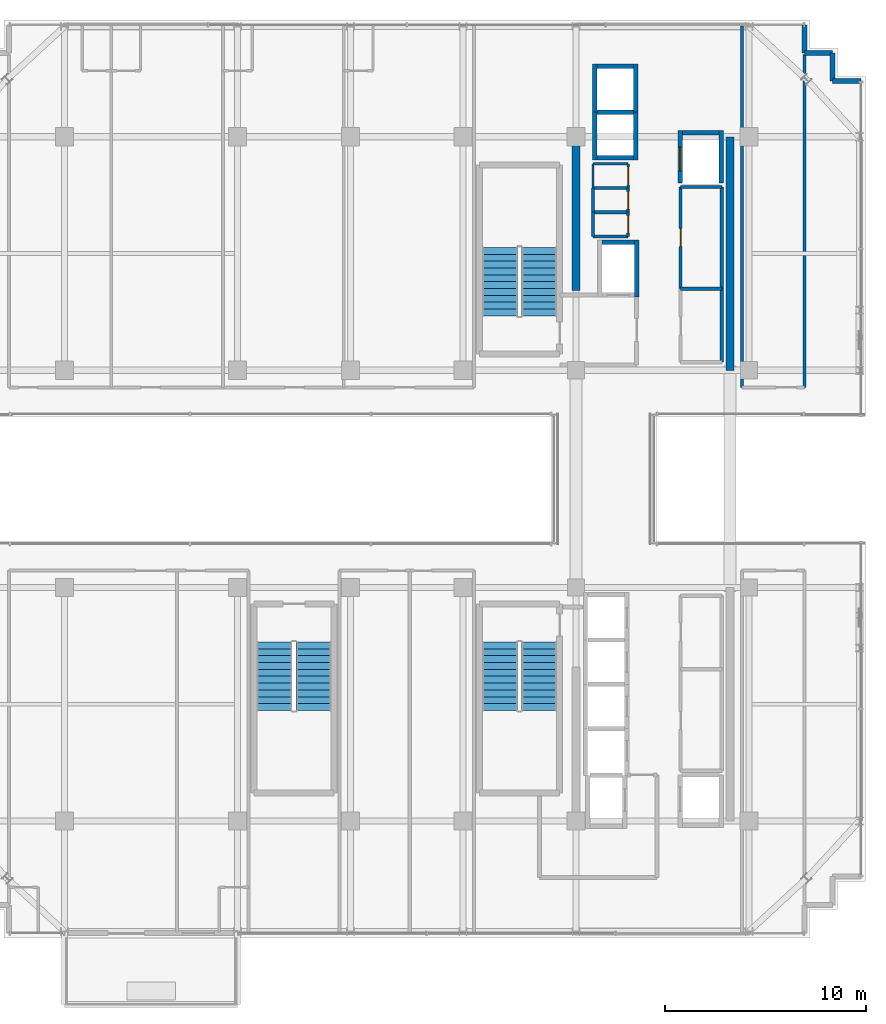
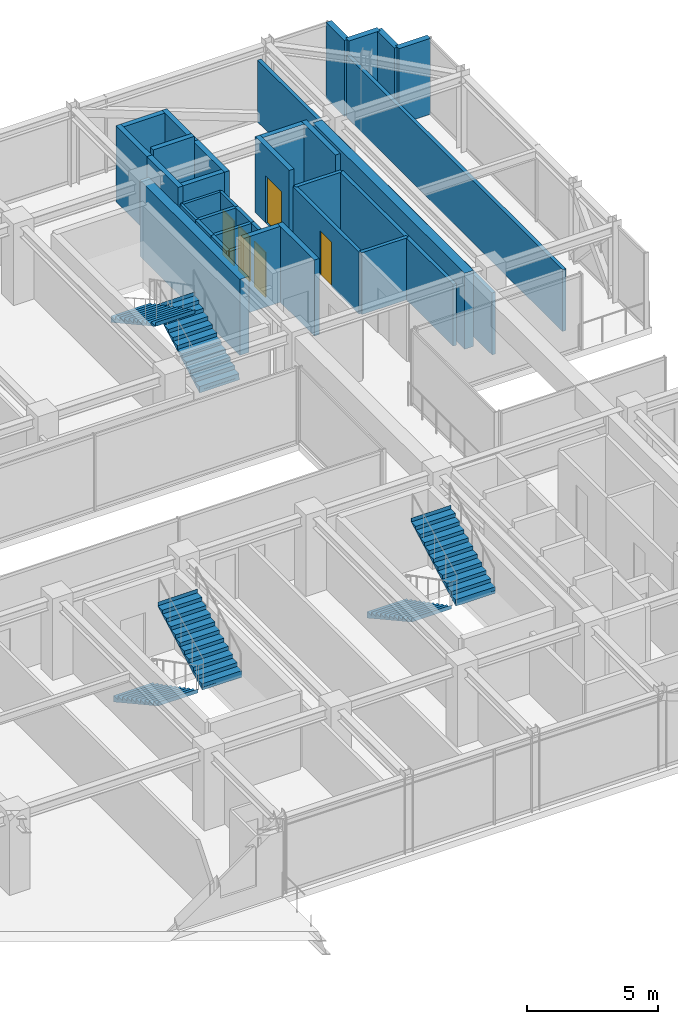
# One storey, part 33 of 37: 35 walls, 6 stair flights, 5 doors, 5 openings, 3 elements without a shape of their own.
"""IFC4 building model written with IfcOpenShell, lengths in metres."""

from ifc_helpers import new_model, si_unit, direction, frame, frame_2d, origin, place, context, subcontext, project, spatial, polyline, rectangle, outline, extrude, source, transform, mapped, material, layer, layer_set, type_object, element, fill, aggregate, save


model = new_model("IFC4")

# Units and contexts
model_context = context("Model", 3, precision=1e-05, world=origin(), true_north=direction((0.0, 1.0)))
body_context = subcontext(model_context, "Body", "Model", "MODEL_VIEW")
ifc_project = project(units=[si_unit("LENGTHUNIT", "METRE"), si_unit("AREAUNIT", "SQUARE_METRE"), si_unit("VOLUMEUNIT", "CUBIC_METRE"), si_unit("PLANEANGLEUNIT", "RADIAN"), si_unit("MASSUNIT", "GRAM", prefix="KILO")], contexts=[model_context])

# Site, building, storey
site_placement = place(None, origin())
site = spatial("IfcSite", under=ifc_project, at=site_placement, CompositionType="ELEMENT")
building_placement = place(site_placement, origin())
building = spatial("IfcBuilding", under=site, at=building_placement, Name="Nahalor Promenade Grand Hotel", CompositionType="ELEMENT")
storey_placement = place(building_placement, frame((0.0, 0.0, 292.64990234375)))
storey = spatial("IfcBuildingStorey", under=building, at=storey_placement, Name="L75", CompositionType="ELEMENT", Elevation=292.64990234375)

# Walls
ifc_material_1 = material(Name="Concrete B-50 (C40/50)", Category="concrete")
ifc_layer_1 = layer(ifc_material_1, 0.39990234375)
ifc_layer_set_1 = layer_set([ifc_layer_1], Name="Concrete B-50 (C40/50)")
wall_type_1 = type_object("IfcWallType", Name="Wall-CoreShear-400", PredefinedType="SHEAR", material=ifc_layer_set_1)
shared_shape_1 = source(origin(), body_context, "Body", "SweptSolid", [
    extrude(rectangle(XDim=7.64990234375, YDim=0.39990234375, at=frame_2d((3.824951171875, 0.0))), origin(), (0.0, 0.0, 1.0), 3.550048828125),
])
wall_1_placement = place(storey_placement, frame((8.39990234375, 9.35009765625, 0.0), z_axis=(0.0, 0.0, 1.0), x_axis=(0.0, 1.0, 0.0)))
element("IfcWall", 1, at=wall_1_placement, inside=storey, type_object=wall_type_1, Name="CWALL-L75-NW", PredefinedType="SHEAR", context=body_context, shape_type="MappedRepresentation", body=[
    mapped(shared_shape_1, transform((0.0, 0.0, 0.0), scale=1.0)),
])
shared_shape_2 = source(origin(), body_context, "Body", "SweptSolid", [
    extrude(rectangle(XDim=11.60009765625, YDim=0.39990234375, at=frame_2d((5.800048828125, 0.0))), origin(), (0.0, 0.0, 1.0), 3.550048828125),
])
wall_2_placement = place(storey_placement, frame((16.050048828125, 5.39990234375, 0.0), z_axis=(0.0, 0.0, 1.0), x_axis=(0.0, 1.0, 0.0)))
element("IfcWall", 2, at=wall_2_placement, inside=storey, type_object=wall_type_1, Name="CWALL-L75-NE", PredefinedType="SHEAR", context=body_context, shape_type="MappedRepresentation", body=[
    mapped(shared_shape_2, transform((0.0, 0.0, 0.0), scale=1.0)),
])
ifc_layer_2 = layer(ifc_material_1, 0.219970703125)
ifc_layer_set_2 = layer_set([ifc_layer_2], Name="Concrete B-50 (C40/50)")
wall_type_2 = type_object("IfcWallType", Name="Wall-LiftShaft-220", PredefinedType="SHEAR", material=ifc_layer_set_2)
shared_shape_3 = source(origin(), body_context, "Body", "SweptSolid", [
    extrude(rectangle(XDim=1.820068359375, YDim=0.219970703125, at=frame_2d((0.91015625, 0.0))), origin(), (0.0, 0.0, 1.0), 3.550048828125),
])
for number, where, z_axis, x_axis, name in (
    (3, (9.43994140625, 15.949951171875, 0.0), (0.0, 0.0, 1.0), (1.0, 0.0, 0.0), "L75 Lift OB1 Hoistway Wall S"),
    (4, (9.43994140625, 20.5, 0.0), (0.0, 0.0, 1.0), (1.0, 0.0, 0.0), "L75 Lift OB2 Hoistway Wall N"),
    (5, (13.68994140625, 17.199951171875, 0.0), (0.0, 0.0, 1.0), (1.0, 0.0, 0.0), "L75 Lift SV1 Hoistway Wall N"),
):
    element("IfcWall", number, at=place(storey_placement, frame(where, z_axis=z_axis, x_axis=x_axis)), inside=storey, type_object=wall_type_2, Name=name, PredefinedType="SHEAR", context=body_context, shape_type="MappedRepresentation", body=[
        mapped(shared_shape_3, transform((0.0, 0.0, 0.0), scale=1.0)),
    ])
shared_shape_4 = source(origin(), body_context, "Body", "SweptSolid", [
    extrude(rectangle(XDim=1.820068359375, YDim=0.219970703125, at=frame_2d((0.91015625, 0.0))), origin(), (0.0, 0.0, 1.0), 3.85009765625),
])
wall_3_placement = place(storey_placement, frame((9.43994140625, 18.22509765625, 0.0), z_axis=(0.0, 0.0, 1.0), x_axis=(1.0, 0.0, 0.0)))
element("IfcWall", 6, at=wall_3_placement, inside=storey, type_object=wall_type_2, Name="L75 Lift OB1 Hoistway Wall N", PredefinedType="SHEAR", context=body_context, shape_type="MappedRepresentation", body=[
    mapped(shared_shape_4, transform((0.0, 0.0, 0.0), scale=1.0)),
])
shared_shape_5 = source(origin(), body_context, "Body", "SweptSolid", [
    extrude(rectangle(XDim=2.385009765625, YDim=0.219970703125, at=frame_2d((1.1923828125, 0.0))), origin(), (0.0, 0.0, 1.0), 3.550048828125),
])
for number, where, z_axis, x_axis, name in (
    (7, (9.330078125, 15.840087890625, 0.0), (0.0, 0.0, 1.0), (0.0, 1.0, 0.0), "L75 Lift OB1 Hoistway Wall W"),
    (8, (11.3701171875, 15.840087890625, 0.0), (0.0, 0.0, 1.0), (0.0, 1.0, 0.0), "L75 Lift OB1 Hoistway Wall E"),
    (9, (9.330078125, 18.22509765625, 0.0), (0.0, 0.0, 1.0), (0.0, 1.0, 0.0), "L75 Lift OB2 Hoistway Wall W"),
    (10, (11.3701171875, 18.22509765625, 0.0), (0.0, 0.0, 1.0), (0.0, 1.0, 0.0), "L75 Lift OB2 Hoistway Wall E"),
):
    element("IfcWall", number, at=place(storey_placement, frame(where, z_axis=z_axis, x_axis=x_axis)), inside=storey, type_object=wall_type_2, Name=name, PredefinedType="SHEAR", context=body_context, shape_type="MappedRepresentation", body=[
        mapped(shared_shape_5, transform((0.0, 0.0, 0.0), scale=1.0)),
    ])
shared_shape_6 = source(origin(), body_context, "Body", "SweptSolid", [
    extrude(rectangle(XDim=2.820068359375, YDim=0.219970703125, at=frame_2d((1.41015625, 0.0))), origin(), (0.0, 0.0, 1.0), 3.550048828125),
])
wall_4_placement = place(storey_placement, frame((11.419921875, 9.0400390625, 0.0), z_axis=(0.0, 0.0, 1.0), x_axis=(0.0, 1.0, 0.0)))
element("IfcWall", 11, at=wall_4_placement, inside=storey, type_object=wall_type_2, Name="L75 Lift FL1 Hoistway Wall E", PredefinedType="SHEAR", context=body_context, shape_type="MappedRepresentation", body=[
    mapped(shared_shape_6, transform((0.0, 0.0, 0.0), scale=1.0)),
])
shared_shape_7 = source(origin(), body_context, "Body", "SweptSolid", [
    extrude(rectangle(XDim=1.6201171875, YDim=0.219970703125, at=frame_2d((0.81005859375, 0.0))), origin(), (0.0, 0.0, 1.0), 3.550048828125),
])
wall_5_placement = place(storey_placement, frame((9.68994140625, 11.75, 0.0), z_axis=(0.0, 0.0, 1.0), x_axis=(1.0, 0.0, 0.0)))
element("IfcWall", 12, at=wall_5_placement, inside=storey, type_object=wall_type_2, Name="L75 Lift FL1 Hoistway Wall N", PredefinedType="SHEAR", context=body_context, shape_type="MappedRepresentation", body=[
    mapped(shared_shape_7, transform((0.0, 0.0, 0.0), scale=1.0)),
])

# Wall, opening, door
shared_shape_8 = source(origin(), body_context, "Body", "SweptSolid", [
    extrude(rectangle(XDim=2.610107421875, YDim=0.219970703125, at=frame_2d((1.30517578125, 0.0))), origin(), (0.0, 0.0, 1.0), 3.550048828125),
])
wall_6_placement = place(storey_placement, frame((13.580078125, 14.699951171875, 0.0), z_axis=(0.0, 0.0, 1.0), x_axis=(0.0, 1.0, 0.0)))
wall_6 = element("IfcWall", 13, at=wall_6_placement, inside=storey, type_object=wall_type_2, Name="L75 Lift SV1 Hoistway Wall W", PredefinedType="SHEAR", context=body_context, shape_type="MappedRepresentation", body=[
    mapped(shared_shape_8, transform((0.0, 0.0, 0.0), scale=1.0)),
])
opening_1_placement = place(wall_6_placement, frame((0.60009765625, 0.0, 0.0)))
opening_1 = element("IfcOpeningElement", 14, at=opening_1_placement, cuts=wall_6, Name="Opening LD-03", PredefinedType="OPENING", context=body_context, shape_type="SweptSolid", body=[
    extrude(rectangle(XDim=1.199951171875, YDim=2.199951171875, at=frame_2d((0.60009765625, 1.10009765625))), frame((0.0, 0.119873046875, 0.0), z_axis=(0.0, -1.0, 0.0), x_axis=(1.0, 0.0, 0.0)), (0.0, 0.0, 1.0), 0.239990234375),
])
ifc_material_2 = material(Name="Steel S355JR", Category="steel")
door_type_1 = type_object("IfcDoorType", Name="Door-LiftService-1200", OperationType="DOUBLE_DOOR_SLIDING", PredefinedType="DOOR", material=ifc_material_2)
shared_shape_9 = source(origin(), body_context, "Body", "SweptSolid", [
    extrude(rectangle(XDim=1.199951171875, YDim=2.199951171875, at=frame_2d((0.60009765625, 1.10009765625))), frame((0.0, 0.02490234375, 0.0), z_axis=(0.0, -1.0, 0.0), x_axis=(1.0, 0.0, 0.0)), (0.0, 0.0, 1.0), 0.050048828125),
])
door_1_placement = place(opening_1_placement, origin())
door_1 = element("IfcDoor", 15, at=door_1_placement, inside=storey, type_object=door_type_1, Name="DR-LIFT-SV1-L75", OperationType="DOUBLE_DOOR_SLIDING", OverallHeight=2.199951171875, OverallWidth=1.199951171875, PredefinedType="DOOR", context=body_context, shape_type="MappedRepresentation", body=[
    mapped(shared_shape_9, transform((0.0, 0.0, 0.0), scale=1.0)),
])
fill(opening_1, door_1)

# Walls
wall_7_placement = place(storey_placement, frame((15.6201171875, 14.699951171875, 0.0), z_axis=(0.0, 0.0, 1.0), x_axis=(0.0, 1.0, 0.0)))
element("IfcWall", 16, at=wall_7_placement, inside=storey, type_object=wall_type_2, Name="L75 Lift SV1 Hoistway Wall E", PredefinedType="SHEAR", context=body_context, shape_type="MappedRepresentation", body=[
    mapped(shared_shape_8, transform((0.0, 0.0, 0.0), scale=1.0)),
])
ifc_material_3 = material(Name="Concrete B-40 (C32/40)", Category="concrete")
ifc_layer_3 = layer(ifc_material_3, 0.25)
ifc_layer_set_3 = layer_set([ifc_layer_3], Name="Concrete B-40 (C32/40)")
wall_type_3 = type_object("IfcWallType", Name="Wall-BronzePier-250", PredefinedType="STANDARD", material=ifc_layer_set_3)
shared_shape_10 = source(origin(), body_context, "Body", "SweptSolid", [
    extrude(rectangle(XDim=1.400146484375, YDim=0.25, at=frame_2d((0.7001953125, 0.0))), origin(), (0.0, 0.0, 1.0), 3.550048828125),
])
for number, where, z_axis, x_axis, name in (
    (17, (21.159912109375, 19.760009765625, 0.0), (0.0, 0.0, 1.0), (1.0, 0.0, 0.0), "W-L75-SR-05"),
    (18, (19.760009765625, 21.159912109375, 0.0), (0.0, 0.0, 1.0), (0.0, 1.0, 0.0), "W-L75-SR-08"),
):
    element("IfcWall", number, at=place(storey_placement, frame(where, z_axis=z_axis, x_axis=x_axis)), inside=storey, type_object=wall_type_3, Name=name, PredefinedType="STANDARD", context=body_context, shape_type="MappedRepresentation", body=[
        mapped(shared_shape_10, transform((0.0, 0.0, 0.0), scale=1.0)),
    ])
shared_shape_11 = source(origin(), body_context, "Body", "SweptSolid", [
    extrude(rectangle(XDim=1.39990234375, YDim=0.25, at=frame_2d((0.699951171875, 0.0))), origin(), (0.0, 0.0, 1.0), 3.550048828125),
])
for number, where, z_axis, x_axis, name in (
    (19, (21.159912109375, 19.760009765625, 0.0), (0.0, 0.0, 1.0), (0.0, 1.0, 0.0), "W-L75-SR-06"),
    (20, (19.760009765625, 21.159912109375, 0.0), (0.0, 0.0, 1.0), (1.0, 0.0, 0.0), "W-L75-SR-07"),
):
    element("IfcWall", number, at=place(storey_placement, frame(where, z_axis=z_axis, x_axis=x_axis)), inside=storey, type_object=wall_type_3, Name=name, PredefinedType="STANDARD", context=body_context, shape_type="MappedRepresentation", body=[
        mapped(shared_shape_11, transform((0.0, 0.0, 0.0), scale=1.0)),
    ])
ifc_material_4 = material(Name="Acoustic Mineral Gypsum", Category="gypsum")
ifc_layer_4 = layer(ifc_material_4, 0.14990234375)
ifc_layer_set_4 = layer_set([ifc_layer_4], Name="Acoustic Mineral Gypsum")
wall_type_4 = type_object("IfcWallType", Name="Wall-PartService-150", PredefinedType="PARTITIONING", material=ifc_layer_set_4)
shared_shape_12 = source(origin(), body_context, "Body", "SweptSolid", [
    extrude(rectangle(XDim=1.75, YDim=0.14990234375, at=frame_2d((0.875, 0.0))), origin(), (0.0, 0.0, 1.0), 2.89013671875),
])
for number, where, z_axis, x_axis, name in (
    (21, (9.25, 12.050048828125, 0.0), (0.0, 0.0, 1.0), (1.0, 0.0, 0.0), "W-L75-CK3A-S"),
    (22, (9.25, 13.25, 0.0), (0.0, 0.0, 1.0), (1.0, 0.0, 0.0), "W-L75-CK3A-N"),
    (23, (9.25, 14.449951171875, 0.0), (0.0, 0.0, 1.0), (1.0, 0.0, 0.0), "W-L75-CK3B-N"),
):
    element("IfcWall", number, at=place(storey_placement, frame(where, z_axis=z_axis, x_axis=x_axis)), inside=storey, type_object=wall_type_4, Name=name, PredefinedType="PARTITIONING", context=body_context, shape_type="MappedRepresentation", body=[
        mapped(shared_shape_12, transform((0.0, 0.0, 0.0), scale=1.0)),
    ])
shared_shape_13 = source(origin(), body_context, "Body", "SweptSolid", [
    extrude(rectangle(XDim=1.199951171875, YDim=0.14990234375, at=frame_2d((0.60009765625, 0.0))), origin(), (0.0, 0.0, 1.0), 2.89013671875),
])
wall_8_placement = place(storey_placement, frame((9.25, 12.050048828125, 0.0), z_axis=(0.0, 0.0, 1.0), x_axis=(0.0, 1.0, 0.0)))
element("IfcWall", 24, at=wall_8_placement, inside=storey, type_object=wall_type_4, Name="W-L75-CK3A-W", PredefinedType="PARTITIONING", context=body_context, shape_type="MappedRepresentation", body=[
    mapped(shared_shape_13, transform((0.0, 0.0, 0.0), scale=1.0)),
])

# Wall, opening, door
wall_9_placement = place(storey_placement, frame((11.0, 12.050048828125, 0.0), z_axis=(0.0, 0.0, 1.0), x_axis=(0.0, 1.0, 0.0)))
wall_9 = element("IfcWall", 25, at=wall_9_placement, inside=storey, type_object=wall_type_4, Name="W-L75-CK3A-E", PredefinedType="PARTITIONING", context=body_context, shape_type="MappedRepresentation", body=[
    mapped(shared_shape_13, transform((0.0, 0.0, 0.0), scale=1.0)),
])
opening_2_placement = place(wall_9_placement, frame((0.159912109375, 0.0, 0.0)))
opening_2 = element("IfcOpeningElement", 26, at=opening_2_placement, cuts=wall_9, Name="Opening D-03", PredefinedType="OPENING", context=body_context, shape_type="SweptSolid", body=[
    extrude(rectangle(XDim=0.8798828125, YDim=2.10009765625, at=frame_2d((0.43994140625, 1.050048828125))), frame((0.0, 0.0849609375, 0.0), z_axis=(0.0, -1.0, 0.0), x_axis=(1.0, 0.0, 0.0)), (0.0, 0.0, 1.0), 0.169921875),
])
ifc_material_5 = material(Name="Fire-Rated Timber Composite", Category="wood")
door_type_2 = type_object("IfcDoorType", Name="Door-BathSwing-880", OperationType="NOTDEFINED", PredefinedType="DOOR", material=ifc_material_5)
shared_shape_14 = source(origin(), body_context, "Body", "SweptSolid", [
    extrude(rectangle(XDim=0.8798828125, YDim=2.10009765625, at=frame_2d((0.43994140625, 1.050048828125))), frame((0.0, 0.02490234375, 0.0), z_axis=(0.0, -1.0, 0.0), x_axis=(1.0, 0.0, 0.0)), (0.0, 0.0, 1.0), 0.050048828125),
])
door_2_placement = place(opening_2_placement, origin())
door_2 = element("IfcDoor", 27, at=door_2_placement, inside=storey, type_object=door_type_2, Name="DR-L75-CK3A", OperationType="SINGLE_SWING_LEFT", OverallHeight=2.10009765625, OverallWidth=0.8798828125, PredefinedType="DOOR", context=body_context, shape_type="MappedRepresentation", body=[
    mapped(shared_shape_14, transform((0.0, 0.0, 0.0), scale=1.0)),
])
fill(opening_2, door_2)

# Wall
wall_10_placement = place(storey_placement, frame((9.25, 13.25, 0.0), z_axis=(0.0, 0.0, 1.0), x_axis=(0.0, 1.0, 0.0)))
element("IfcWall", 28, at=wall_10_placement, inside=storey, type_object=wall_type_4, Name="W-L75-CK3B-W", PredefinedType="PARTITIONING", context=body_context, shape_type="MappedRepresentation", body=[
    mapped(shared_shape_13, transform((0.0, 0.0, 0.0), scale=1.0)),
])

# Wall, opening, door
wall_11_placement = place(storey_placement, frame((11.0, 13.25, 0.0), z_axis=(0.0, 0.0, 1.0), x_axis=(0.0, 1.0, 0.0)))
wall_11 = element("IfcWall", 29, at=wall_11_placement, inside=storey, type_object=wall_type_4, Name="W-L75-CK3B-E", PredefinedType="PARTITIONING", context=body_context, shape_type="MappedRepresentation", body=[
    mapped(shared_shape_13, transform((0.0, 0.0, 0.0), scale=1.0)),
])
opening_3_placement = place(wall_11_placement, frame((0.159912109375, 0.0, 0.0)))
opening_3 = element("IfcOpeningElement", 30, at=opening_3_placement, cuts=wall_11, Name="Opening D-03", PredefinedType="OPENING", context=body_context, shape_type="SweptSolid", body=[
    extrude(rectangle(XDim=0.8798828125, YDim=2.10009765625, at=frame_2d((0.43994140625, 1.050048828125))), frame((0.0, 0.0849609375, 0.0), z_axis=(0.0, -1.0, 0.0), x_axis=(1.0, 0.0, 0.0)), (0.0, 0.0, 1.0), 0.169921875),
])
door_3_placement = place(opening_3_placement, origin())
door_3 = element("IfcDoor", 31, at=door_3_placement, inside=storey, type_object=door_type_2, Name="DR-L75-CK3B", OperationType="SINGLE_SWING_RIGHT", OverallHeight=2.10009765625, OverallWidth=0.8798828125, PredefinedType="DOOR", context=body_context, shape_type="MappedRepresentation", body=[
    mapped(shared_shape_14, transform((0.0, 0.0, 0.0), scale=1.0)),
])
fill(opening_3, door_3)

# Walls
ifc_layer_5 = layer(ifc_material_4, 0.1201171875)
ifc_layer_set_5 = layer_set([ifc_layer_5], Name="Acoustic Mineral Gypsum")
wall_type_5 = type_object("IfcWallType", Name="Wall-PartBath-120", PredefinedType="PARTITIONING", material=ifc_layer_set_5)
shared_shape_15 = source(origin(), body_context, "Body", "SweptSolid", [
    extrude(rectangle(XDim=1.75, YDim=0.1201171875, at=frame_2d((0.875, 0.0))), origin(), (0.0, 0.0, 1.0), 2.89013671875),
])
wall_12_placement = place(storey_placement, frame((9.25, 15.64990234375, 0.0), z_axis=(0.0, 0.0, 1.0), x_axis=(1.0, 0.0, 0.0)))
element("IfcWall", 32, at=wall_12_placement, inside=storey, type_object=wall_type_5, Name="W-L75-CK3C-N", PredefinedType="PARTITIONING", context=body_context, shape_type="MappedRepresentation", body=[
    mapped(shared_shape_15, transform((0.0, 0.0, 0.0), scale=1.0)),
])
shared_shape_16 = source(origin(), body_context, "Body", "SweptSolid", [
    extrude(rectangle(XDim=1.199951171875, YDim=0.1201171875, at=frame_2d((0.60009765625, 0.0))), origin(), (0.0, 0.0, 1.0), 2.89013671875),
])
wall_13_placement = place(storey_placement, frame((9.25, 14.449951171875, 0.0), z_axis=(0.0, 0.0, 1.0), x_axis=(0.0, 1.0, 0.0)))
element("IfcWall", 33, at=wall_13_placement, inside=storey, type_object=wall_type_5, Name="W-L75-CK3C-W", PredefinedType="PARTITIONING", context=body_context, shape_type="MappedRepresentation", body=[
    mapped(shared_shape_16, transform((0.0, 0.0, 0.0), scale=1.0)),
])

# Wall, opening, door
wall_14_placement = place(storey_placement, frame((11.0, 14.449951171875, 0.0), z_axis=(0.0, 0.0, 1.0), x_axis=(0.0, 1.0, 0.0)))
wall_14 = element("IfcWall", 34, at=wall_14_placement, inside=storey, type_object=wall_type_5, Name="W-L75-CK3C-E", PredefinedType="PARTITIONING", context=body_context, shape_type="MappedRepresentation", body=[
    mapped(shared_shape_16, transform((0.0, 0.0, 0.0), scale=1.0)),
])
opening_4_placement = place(wall_14_placement, frame((0.159912109375, 0.0, 0.0)))
opening_4 = element("IfcOpeningElement", 35, at=opening_4_placement, cuts=wall_14, Name="Opening D-03", PredefinedType="OPENING", context=body_context, shape_type="SweptSolid", body=[
    extrude(rectangle(XDim=0.8798828125, YDim=2.10009765625, at=frame_2d((0.43994140625, 1.050048828125))), frame((0.0, 0.070068359375, 0.0), z_axis=(0.0, -1.0, 0.0), x_axis=(1.0, 0.0, 0.0)), (0.0, 0.0, 1.0), 0.14013671875),
])
door_4_placement = place(opening_4_placement, origin())
door_4 = element("IfcDoor", 36, at=door_4_placement, inside=storey, type_object=door_type_2, Name="DR-L75-CK3C", OperationType="SINGLE_SWING_LEFT", OverallHeight=2.10009765625, OverallWidth=0.8798828125, PredefinedType="DOOR", context=body_context, shape_type="MappedRepresentation", body=[
    mapped(shared_shape_14, transform((0.0, 0.0, 0.0), scale=1.0)),
])
fill(opening_4, door_4)

# Walls
ifc_layer_6 = layer(ifc_material_4, 0.159912109375)
ifc_layer_set_6 = layer_set([ifc_layer_6], Name="Acoustic Mineral Gypsum")
wall_type_6 = type_object("IfcWallType", Name="Wall-PartCorridor-160", PredefinedType="PARTITIONING", material=ifc_layer_set_6)
shared_shape_17 = source(origin(), body_context, "Body", "SweptSolid", [
    extrude(rectangle(XDim=2.0498046875, YDim=0.159912109375, at=frame_2d((1.02490234375, 0.0))), origin(), (0.0, 0.0, 1.0), 2.89013671875),
])
for number, where, z_axis, x_axis, name in (
    (37, (13.60009765625, 9.449951171875, 0.0), (0.0, 0.0, 1.0), (1.0, 0.0, 0.0), "W-L75-FRB1A-N"),
    (38, (13.60009765625, 14.5, 0.0), (0.0, 0.0, 1.0), (1.0, 0.0, 0.0), "W-L75-FRB1B-N"),
):
    element("IfcWall", number, at=place(storey_placement, frame(where, z_axis=z_axis, x_axis=x_axis)), inside=storey, type_object=wall_type_6, Name=name, PredefinedType="PARTITIONING", context=body_context, shape_type="MappedRepresentation", body=[
        mapped(shared_shape_17, transform((0.0, 0.0, 0.0), scale=1.0)),
    ])
shared_shape_18 = source(origin(), body_context, "Body", "SweptSolid", [
    extrude(rectangle(XDim=3.64990234375, YDim=0.159912109375, at=frame_2d((1.824951171875, 0.0))), origin(), (0.0, 0.0, 1.0), 2.89013671875),
])
wall_15_placement = place(storey_placement, frame((15.64990234375, 5.800048828125, 0.0), z_axis=(0.0, 0.0, 1.0), x_axis=(0.0, 1.0, 0.0)))
element("IfcWall", 39, at=wall_15_placement, inside=storey, type_object=wall_type_6, Name="W-L75-FRB1A-E", PredefinedType="PARTITIONING", context=body_context, shape_type="MappedRepresentation", body=[
    mapped(shared_shape_18, transform((0.0, 0.0, 0.0), scale=1.0)),
])

# Wall, opening, door
shared_shape_19 = source(origin(), body_context, "Body", "SweptSolid", [
    extrude(rectangle(XDim=5.050048828125, YDim=0.159912109375, at=frame_2d((2.52490234375, 0.0))), origin(), (0.0, 0.0, 1.0), 2.89013671875),
])
wall_16_placement = place(storey_placement, frame((13.60009765625, 9.449951171875, 0.0), z_axis=(0.0, 0.0, 1.0), x_axis=(0.0, 1.0, 0.0)))
wall_16 = element("IfcWall", 40, at=wall_16_placement, inside=storey, type_object=wall_type_6, Name="W-L75-FRB1B-W", PredefinedType="PARTITIONING", context=body_context, shape_type="MappedRepresentation", body=[
    mapped(shared_shape_19, transform((0.0, 0.0, 0.0), scale=1.0)),
])
opening_5_placement = place(wall_16_placement, frame((2.110107421875, 0.0, 0.0)))
opening_5 = element("IfcOpeningElement", 41, at=opening_5_placement, cuts=wall_16, Name="Opening D-03", PredefinedType="OPENING", context=body_context, shape_type="SweptSolid", body=[
    extrude(rectangle(XDim=0.8798828125, YDim=2.10009765625, at=frame_2d((0.43994140625, 1.050048828125))), frame((0.0, 0.08984375, 0.0), z_axis=(0.0, -1.0, 0.0), x_axis=(1.0, 0.0, 0.0)), (0.0, 0.0, 1.0), 0.179931640625),
])
door_5_placement = place(opening_5_placement, frame((0.8798828125, 0.0, 0.0), z_axis=(0.0, 0.0, 1.0), x_axis=(-1.0, 0.0, 0.0)))
door_5 = element("IfcDoor", 42, at=door_5_placement, inside=storey, type_object=door_type_2, Name="DR-L75-FRB1B", OperationType="SINGLE_SWING_LEFT", OverallHeight=2.10009765625, OverallWidth=0.8798828125, PredefinedType="DOOR", context=body_context, shape_type="MappedRepresentation", body=[
    mapped(shared_shape_14, transform((0.0, 0.0, 0.0), scale=1.0)),
])
fill(opening_5, door_5)

# Walls
wall_17_placement = place(storey_placement, frame((15.64990234375, 9.449951171875, 0.0), z_axis=(0.0, 0.0, 1.0), x_axis=(0.0, 1.0, 0.0)))
element("IfcWall", 43, at=wall_17_placement, inside=storey, type_object=wall_type_6, Name="W-L75-FRB1B-E", PredefinedType="PARTITIONING", context=body_context, shape_type="MappedRepresentation", body=[
    mapped(shared_shape_19, transform((0.0, 0.0, 0.0), scale=1.0)),
])
shared_shape_20 = source(origin(), body_context, "Body", "SweptSolid", [
    extrude(rectangle(XDim=17.949951171875, YDim=0.159912109375, at=frame_2d((8.97509765625, 0.0))), origin(), (0.0, 0.0, 1.0), 2.89013671875),
])
wall_18_placement = place(storey_placement, frame((16.64990234375, 4.550048828125, 0.0), z_axis=(0.0, 0.0, 1.0), x_axis=(0.0, 1.0, 0.0)))
element("IfcWall", 44, at=wall_18_placement, inside=storey, type_object=wall_type_6, Name="W-L75-ENE-W", PredefinedType="PARTITIONING", context=body_context, shape_type="MappedRepresentation", body=[
    mapped(shared_shape_20, transform((0.0, 0.0, 0.0), scale=1.0)),
])
shared_shape_21 = source(origin(), body_context, "Body", "SweptSolid", [
    extrude(rectangle(XDim=16.530029296875, YDim=0.159912109375, at=frame_2d((8.26513671875, 0.0))), origin(), (0.0, 0.0, 1.0), 2.89013671875),
])
wall_19_placement = place(storey_placement, frame((19.760009765625, 4.550048828125, 0.0), z_axis=(0.0, 0.0, 1.0), x_axis=(0.0, 1.0, 0.0)))
element("IfcWall", 45, at=wall_19_placement, inside=storey, type_object=wall_type_6, Name="W-L75-ENE-E", PredefinedType="PARTITIONING", context=body_context, shape_type="MappedRepresentation", body=[
    mapped(shared_shape_21, transform((0.0, 0.0, 0.0), scale=1.0)),
])

# Stair, stair flights
stair_type_1 = type_object("IfcStairType", Name="Stair-ST1", PredefinedType="HALF_TURN_STAIR", material=ifc_material_1)
stair_1_placement = place(storey_placement, origin())
stair_1 = element("IfcStair", 46, at=stair_1_placement, inside=storey, type_object=stair_type_1, Name="L75 ST1", PredefinedType="HALF_TURN_STAIR")
ifc_layer_7 = layer(ifc_material_1, 0.179931640625)
ifc_layer_set_7 = layer_set([ifc_layer_7], Name="Concrete B-50 (C40/50)")
stair_flight_type_1 = type_object("IfcStairFlightType", Name="Flight-ST1", PredefinedType="STRAIGHT", material=ifc_layer_set_7)
shared_shape_22 = source(origin(), body_context, "Body", "SweptSolid", [
    extrude(outline(polyline([(-0.00390625, -0.1201171875), (-0.00390625, 0.0), (0.0, 0.0), (0.0, 0.175048828125), (0.340087890625, 0.175048828125), (0.340087890625, 0.35009765625), (0.679931640625, 0.35009765625), (0.679931640625, 0.52490234375), (1.02001953125, 0.52490234375), (1.02001953125, 0.699951171875), (1.360107421875, 0.699951171875), (1.360107421875, 0.875), (1.699951171875, 0.875), (1.699951171875, 1.050048828125), (2.0400390625, 1.050048828125), (2.0400390625, 1.22509765625), (2.3798828125, 1.22509765625), (2.3798828125, 1.39990234375), (2.719970703125, 1.39990234375), (2.719970703125, 1.574951171875), (3.06005859375, 1.574951171875), (3.06005859375, 1.75), (3.39990234375, 1.75), (3.39990234375, 1.925048828125), (3.404052734375, 1.925048828125), (3.404052734375, 1.7451171875), (0.02001953125, -0.1201171875), (-0.00390625, -0.1201171875)])), frame((0.0, 0.875, 0.0), z_axis=(0.0, -1.0, 0.0), x_axis=(1.0, 0.0, 0.0)), (0.0, 0.0, 1.0), 1.75),
])
stair_flight_1_placement = place(storey_placement, frame((6.574951171875, 8.10009765625, 0.0), z_axis=(0.0, 0.0, 1.0), x_axis=(0.0, 1.0, 0.0)))
stair_flight_1 = element("IfcStairFlight", 47, at=stair_flight_1_placement, type_object=stair_flight_type_1, Name="ST1 flight 1", NumberOfRisers=11, NumberOfTreads=10, PredefinedType="STRAIGHT", RiserHeight=0.175, TreadLength=0.34, context=body_context, shape_type="MappedRepresentation", body=[
    mapped(shared_shape_22, transform((0.0, 0.0, 0.0), scale=1.0)),
])
stair_flight_2_placement = place(storey_placement, frame((4.625, 11.5, 1.925048828125), z_axis=(0.0, 0.0, 1.0), x_axis=(0.0, -1.0, 0.0)))
stair_flight_2 = element("IfcStairFlight", 48, at=stair_flight_2_placement, type_object=stair_flight_type_1, Name="ST1 flight 2", NumberOfRisers=11, NumberOfTreads=10, PredefinedType="STRAIGHT", RiserHeight=0.175, TreadLength=0.34, context=body_context, shape_type="MappedRepresentation", body=[
    mapped(shared_shape_22, transform((0.0, 0.0, 0.0), scale=1.0)),
])
aggregate(stair_1, [stair_flight_1, stair_flight_2])

stair_type_2 = type_object("IfcStairType", Name="Stair-ST2", PredefinedType="HALF_TURN_STAIR", material=ifc_material_1)
stair_2_placement = place(storey_placement, origin())
stair_2 = element("IfcStair", 49, at=stair_2_placement, inside=storey, type_object=stair_type_2, Name="L75 ST2", PredefinedType="HALF_TURN_STAIR")
ifc_layer_8 = layer(ifc_material_1, 0.18994140625)
ifc_layer_set_8 = layer_set([ifc_layer_8], Name="Concrete B-50 (C40/50)")
stair_flight_type_2 = type_object("IfcStairFlightType", Name="Flight-ST2", PredefinedType="STRAIGHT", material=ifc_layer_set_8)
shared_shape_23 = source(origin(), body_context, "Body", "SweptSolid", [
    extrude(outline(polyline([(-0.00390625, -0.1201171875), (-0.00390625, 0.0), (0.0, 0.0), (0.0, 0.175048828125), (0.340087890625, 0.175048828125), (0.340087890625, 0.35009765625), (0.679931640625, 0.35009765625), (0.679931640625, 0.52490234375), (1.02001953125, 0.52490234375), (1.02001953125, 0.699951171875), (1.360107421875, 0.699951171875), (1.360107421875, 0.875), (1.699951171875, 0.875), (1.699951171875, 1.050048828125), (2.0400390625, 1.050048828125), (2.0400390625, 1.22509765625), (2.3798828125, 1.22509765625), (2.3798828125, 1.39990234375), (2.719970703125, 1.39990234375), (2.719970703125, 1.574951171875), (3.06005859375, 1.574951171875), (3.06005859375, 1.75), (3.39990234375, 1.75), (3.39990234375, 1.925048828125), (3.404052734375, 1.925048828125), (3.404052734375, 1.7451171875), (0.02001953125, -0.1201171875), (-0.00390625, -0.1201171875)])), frame((0.0, 0.875, 0.0), z_axis=(0.0, -1.0, 0.0), x_axis=(1.0, 0.0, 0.0)), (0.0, 0.0, 1.0), 1.75),
])
stair_flight_3_placement = place(storey_placement, frame((4.625, -8.10009765625, 0.0), z_axis=(0.0, 0.0, 1.0), x_axis=(0.0, -1.0, 0.0)))
stair_flight_3 = element("IfcStairFlight", 50, at=stair_flight_3_placement, type_object=stair_flight_type_2, Name="ST2 flight 1", NumberOfRisers=11, NumberOfTreads=10, PredefinedType="STRAIGHT", RiserHeight=0.175, TreadLength=0.34, context=body_context, shape_type="MappedRepresentation", body=[
    mapped(shared_shape_23, transform((0.0, 0.0, 0.0), scale=1.0)),
])
stair_flight_4_placement = place(storey_placement, frame((6.574951171875, -11.5, 1.925048828125), z_axis=(0.0, 0.0, 1.0), x_axis=(0.0, 1.0, 0.0)))
stair_flight_4 = element("IfcStairFlight", 51, at=stair_flight_4_placement, type_object=stair_flight_type_2, Name="ST2 flight 2", NumberOfRisers=11, NumberOfTreads=10, PredefinedType="STRAIGHT", RiserHeight=0.175, TreadLength=0.34, context=body_context, shape_type="MappedRepresentation", body=[
    mapped(shared_shape_23, transform((0.0, 0.0, 0.0), scale=1.0)),
])
aggregate(stair_2, [stair_flight_3, stair_flight_4])

stair_type_3 = type_object("IfcStairType", Name="Stair-ST3", PredefinedType="HALF_TURN_STAIR", material=ifc_material_1)
stair_3_placement = place(storey_placement, origin())
stair_3 = element("IfcStair", 52, at=stair_3_placement, inside=storey, type_object=stair_type_3, Name="L75 ST3", PredefinedType="HALF_TURN_STAIR")
ifc_layer_9 = layer(ifc_material_1, 0.199951171875)
ifc_layer_set_9 = layer_set([ifc_layer_9], Name="Concrete B-50 (C40/50)")
stair_flight_type_3 = type_object("IfcStairFlightType", Name="Flight-ST3", PredefinedType="STRAIGHT", material=ifc_layer_set_9)
shared_shape_24 = source(origin(), body_context, "Body", "SweptSolid", [
    extrude(outline(polyline([(-0.00390625, -0.1201171875), (-0.00390625, 0.0), (0.0, 0.0), (0.0, 0.175048828125), (0.340087890625, 0.175048828125), (0.340087890625, 0.35009765625), (0.679931640625, 0.35009765625), (0.679931640625, 0.52490234375), (1.02001953125, 0.52490234375), (1.02001953125, 0.699951171875), (1.360107421875, 0.699951171875), (1.360107421875, 0.875), (1.699951171875, 0.875), (1.699951171875, 1.050048828125), (2.0400390625, 1.050048828125), (2.0400390625, 1.22509765625), (2.3798828125, 1.22509765625), (2.3798828125, 1.39990234375), (2.719970703125, 1.39990234375), (2.719970703125, 1.574951171875), (3.06005859375, 1.574951171875), (3.06005859375, 1.75), (3.39990234375, 1.75), (3.39990234375, 1.925048828125), (3.404052734375, 1.925048828125), (3.404052734375, 1.7451171875), (0.02001953125, -0.1201171875), (-0.00390625, -0.1201171875)])), frame((0.0, 0.875, 0.0), z_axis=(0.0, -1.0, 0.0), x_axis=(1.0, 0.0, 0.0)), (0.0, 0.0, 1.0), 1.75),
])
stair_flight_5_placement = place(storey_placement, frame((-6.574951171875, -8.10009765625, 0.0), z_axis=(0.0, 0.0, 1.0), x_axis=(0.0, -1.0, 0.0)))
stair_flight_5 = element("IfcStairFlight", 53, at=stair_flight_5_placement, type_object=stair_flight_type_3, Name="ST3 flight 1", NumberOfRisers=11, NumberOfTreads=10, PredefinedType="STRAIGHT", RiserHeight=0.175, TreadLength=0.34, context=body_context, shape_type="MappedRepresentation", body=[
    mapped(shared_shape_24, transform((0.0, 0.0, 0.0), scale=1.0)),
])
stair_flight_6_placement = place(storey_placement, frame((-4.625, -11.5, 1.925048828125), z_axis=(0.0, 0.0, 1.0), x_axis=(0.0, 1.0, 0.0)))
stair_flight_6 = element("IfcStairFlight", 54, at=stair_flight_6_placement, type_object=stair_flight_type_3, Name="ST3 flight 2", NumberOfRisers=11, NumberOfTreads=10, PredefinedType="STRAIGHT", RiserHeight=0.175, TreadLength=0.34, context=body_context, shape_type="MappedRepresentation", body=[
    mapped(shared_shape_24, transform((0.0, 0.0, 0.0), scale=1.0)),
])
aggregate(stair_3, [stair_flight_5, stair_flight_6])

save(model, "model.ifc")
